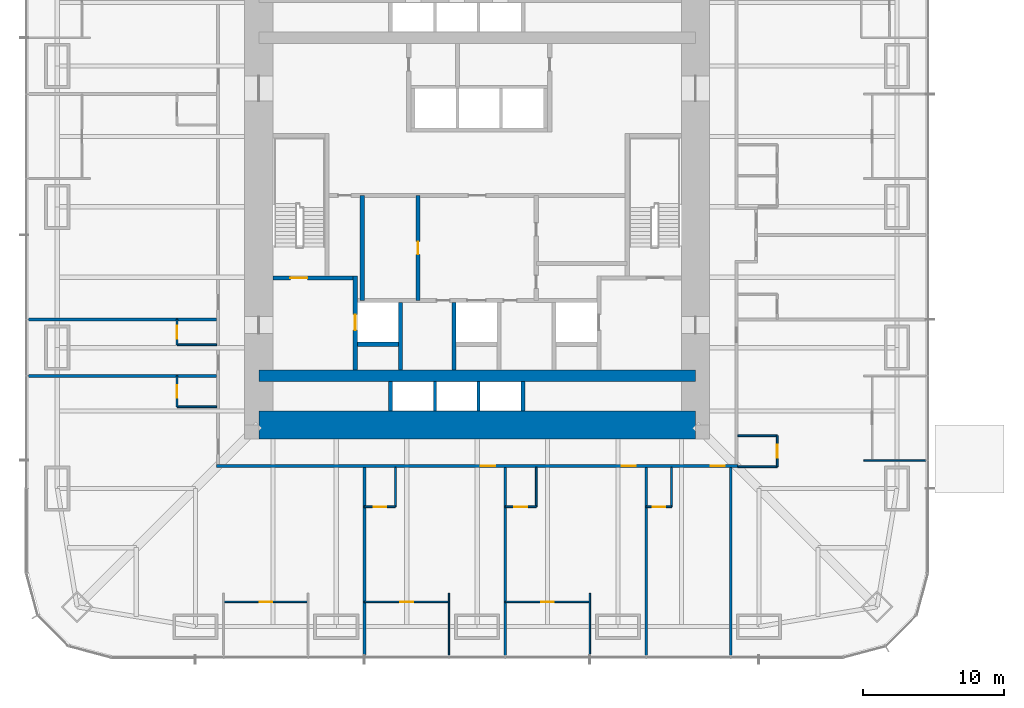
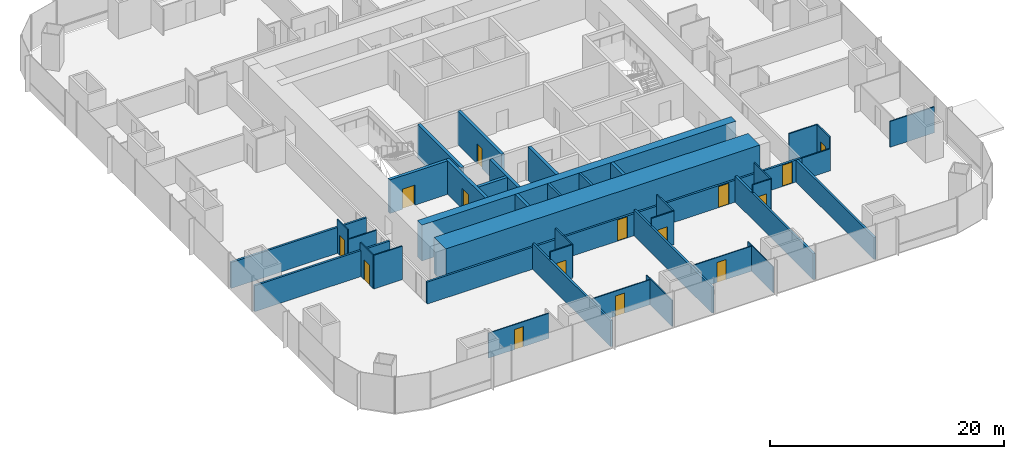
# One storey, part 15 of 20: 39 walls, 15 doors, 15 openings.
"""IFC4 building model written with IfcOpenShell, lengths in metres."""

from ifc_helpers import new_model, si_unit, direction, frame, frame_2d, origin, place, context, subcontext, project, spatial, rectangle, extrude, material, layer, layer_set, type_object, element, fill, save


model = new_model("IFC4")

# Units and contexts
model_context = context("Model", 3, precision=1e-05, world=origin(), true_north=direction((0.0, 1.0)))
body_context = subcontext(model_context, "Body", "Model", "MODEL_VIEW")
ifc_project = project(units=[si_unit("LENGTHUNIT", "METRE"), si_unit("AREAUNIT", "SQUARE_METRE"), si_unit("VOLUMEUNIT", "CUBIC_METRE"), si_unit("PLANEANGLEUNIT", "RADIAN"), si_unit("MASSUNIT", "GRAM", prefix="KILO")], contexts=[model_context])

# Site, building, storey
site_placement = place(None, origin())
site = spatial("IfcSite", under=ifc_project, at=site_placement, CompositionType="ELEMENT")
building_placement = place(site_placement, origin())
building = spatial("IfcBuilding", under=site, at=building_placement, Name="Khuree Lantern Residences", CompositionType="ELEMENT")
storey_placement = place(building_placement, frame((0.0, 0.0, 24.75)))
storey = spatial("IfcBuildingStorey", under=building, at=storey_placement, Name="L05", CompositionType="ELEMENT", Elevation=24.75)

# Wall, opening, door
ifc_material_1 = material(Name="Moisture-resistant gypsum board on steel studs", Category="steel")
ifc_layer_1 = layer(ifc_material_1, 0.125)
ifc_layer_set_1 = layer_set([ifc_layer_1], Name="BATHROOM WALL BTW125")
wall_type_1 = type_object("IfcWallType", Name="BATHROOM WALL BTW125", PredefinedType="PARTITIONING", material=ifc_layer_set_1)
wall_1_placement = place(storey_placement, frame((-21.300048828125, -8.0, 0.0), z_axis=(0.0, 0.0, 1.0), x_axis=(0.0, -1.0, 0.0)))
wall_1 = element("IfcWall", 1, at=wall_1_placement, inside=storey, type_object=wall_type_1, Name="L05 BATHROOM WALL 09", PredefinedType="PARTITIONING", context=body_context, shape_type="SweptSolid", body=[
    extrude(rectangle(XDim=1.800048828125, YDim=0.125, at=frame_2d((0.89990234375, 0.0))), origin(), (0.0, 0.0, 1.0), 3.5),
])
opening_1_placement = place(wall_1_placement, frame((0.449951171875, 0.0, 0.0)))
opening_1 = element("IfcOpeningElement", 2, at=opening_1_placement, cuts=wall_1, Name="Opening 05-048", PredefinedType="OPENING", context=body_context, shape_type="SweptSolid", body=[
    extrude(rectangle(XDim=0.89990234375, YDim=2.10009765625, at=frame_2d((0.449951171875, 1.050048828125))), frame((0.0, 0.072509765625, 0.0), z_axis=(0.0, -1.0, 0.0), x_axis=(1.0, 0.0, 0.0)), (0.0, 0.0, 1.0), 0.14501953125),
])
ifc_material_2 = material(Name="Timber door leaf in hardwood frame", Category="wood")
door_type_1 = type_object("IfcDoorType", Name="BATHROOM DOOR 900X2100", OperationType="SINGLE_SWING_LEFT", PredefinedType="DOOR", material=ifc_material_2)
door_1_placement = place(opening_1_placement, origin())
door_1 = element("IfcDoor", 3, at=door_1_placement, inside=storey, type_object=door_type_1, Name="Bathroom door 05-048", OperationType="SINGLE_SWING_LEFT", OverallHeight=2.10009765625, OverallWidth=0.89990234375, PredefinedType="DOOR", context=body_context, shape_type="SweptSolid", body=[
    extrude(rectangle(XDim=0.89990234375, YDim=2.10009765625, at=frame_2d((0.449951171875, 1.050048828125))), frame((0.0, 0.02490234375, 0.0), z_axis=(0.0, -1.0, 0.0), x_axis=(1.0, 0.0, 0.0)), (0.0, 0.0, 1.0), 0.050048828125),
])
fill(opening_1, door_1)

# Wall
wall_2_placement = place(storey_placement, frame((-18.5, -9.800048828125, 0.0), z_axis=(0.0, 0.0, 1.0), x_axis=(-1.0, 0.0, 0.0)))
element("IfcWall", 4, at=wall_2_placement, inside=storey, type_object=wall_type_1, Name="L05 BATHROOM WALL 09", PredefinedType="PARTITIONING", context=body_context, shape_type="SweptSolid", body=[
    extrude(rectangle(XDim=2.800048828125, YDim=0.125, at=frame_2d((1.39990234375, 0.0))), origin(), (0.0, 0.0, 1.0), 2.491943359375),
])

# Wall, opening, door
wall_3_placement = place(storey_placement, frame((-21.300048828125, -12.0, 0.0), z_axis=(0.0, 0.0, 1.0), x_axis=(0.0, -1.0, 0.0)))
wall_3 = element("IfcWall", 5, at=wall_3_placement, inside=storey, type_object=wall_type_1, Name="L05 BATHROOM WALL 10", PredefinedType="PARTITIONING", context=body_context, shape_type="SweptSolid", body=[
    extrude(rectangle(XDim=2.199951171875, YDim=0.125, at=frame_2d((1.10009765625, 0.0))), origin(), (0.0, 0.0, 1.0), 3.5),
])
opening_2_placement = place(wall_3_placement, frame((0.64990234375, 0.0, 0.0)))
opening_2 = element("IfcOpeningElement", 6, at=opening_2_placement, cuts=wall_3, Name="Opening 05-051", PredefinedType="OPENING", context=body_context, shape_type="SweptSolid", body=[
    extrude(rectangle(XDim=0.89990234375, YDim=2.10009765625, at=frame_2d((0.449951171875, 1.050048828125))), frame((0.0, 0.072509765625, 0.0), z_axis=(0.0, -1.0, 0.0), x_axis=(1.0, 0.0, 0.0)), (0.0, 0.0, 1.0), 0.14501953125),
])
door_2_placement = place(opening_2_placement, origin())
door_2 = element("IfcDoor", 7, at=door_2_placement, inside=storey, type_object=door_type_1, Name="Bathroom door 05-051", OperationType="SINGLE_SWING_LEFT", OverallHeight=2.10009765625, OverallWidth=0.89990234375, PredefinedType="DOOR", context=body_context, shape_type="SweptSolid", body=[
    extrude(rectangle(XDim=0.89990234375, YDim=2.10009765625, at=frame_2d((0.449951171875, 1.050048828125))), frame((0.0, 0.02490234375, 0.0), z_axis=(0.0, -1.0, 0.0), x_axis=(1.0, 0.0, 0.0)), (0.0, 0.0, 1.0), 0.050048828125),
])
fill(opening_2, door_2)

# Wall
wall_4_placement = place(storey_placement, frame((-18.5, -14.199951171875, 0.0), z_axis=(0.0, 0.0, 1.0), x_axis=(-1.0, 0.0, 0.0)))
element("IfcWall", 8, at=wall_4_placement, inside=storey, type_object=wall_type_1, Name="L05 BATHROOM WALL 10", PredefinedType="PARTITIONING", context=body_context, shape_type="SweptSolid", body=[
    extrude(rectangle(XDim=2.800048828125, YDim=0.125, at=frame_2d((1.39990234375, 0.0))), origin(), (0.0, 0.0, 1.0), 3.5),
])

# Wall, opening, door
wall_5_placement = place(storey_placement, frame((-8.0, -21.300048828125, 0.0), z_axis=(0.0, 0.0, 1.0), x_axis=(1.0, 0.0, 0.0)))
wall_5 = element("IfcWall", 9, at=wall_5_placement, inside=storey, type_object=wall_type_1, Name="L05 BATHROOM WALL 11", PredefinedType="PARTITIONING", context=body_context, shape_type="SweptSolid", body=[
    extrude(rectangle(XDim=2.199951171875, YDim=0.125, at=frame_2d((1.10009765625, 0.0))), origin(), (0.0, 0.0, 1.0), 3.5),
])
opening_3_placement = place(wall_5_placement, frame((0.64990234375, 0.0, 0.0)))
opening_3 = element("IfcOpeningElement", 10, at=opening_3_placement, cuts=wall_5, Name="Opening 05-054", PredefinedType="OPENING", context=body_context, shape_type="SweptSolid", body=[
    extrude(rectangle(XDim=0.89990234375, YDim=2.10009765625, at=frame_2d((0.449951171875, 1.050048828125))), frame((0.0, 0.072509765625, 0.0), z_axis=(0.0, -1.0, 0.0), x_axis=(1.0, 0.0, 0.0)), (0.0, 0.0, 1.0), 0.14501953125),
])
door_3_placement = place(opening_3_placement, origin())
door_3 = element("IfcDoor", 11, at=door_3_placement, inside=storey, type_object=door_type_1, Name="Bathroom door 05-054", OperationType="SINGLE_SWING_LEFT", OverallHeight=2.10009765625, OverallWidth=0.89990234375, PredefinedType="DOOR", context=body_context, shape_type="SweptSolid", body=[
    extrude(rectangle(XDim=0.89990234375, YDim=2.10009765625, at=frame_2d((0.449951171875, 1.050048828125))), frame((0.0, 0.02490234375, 0.0), z_axis=(0.0, -1.0, 0.0), x_axis=(1.0, 0.0, 0.0)), (0.0, 0.0, 1.0), 0.050048828125),
])
fill(opening_3, door_3)

# Wall
wall_6_placement = place(storey_placement, frame((-5.800048828125, -18.5, 0.0), z_axis=(0.0, 0.0, 1.0), x_axis=(0.0, -1.0, 0.0)))
element("IfcWall", 12, at=wall_6_placement, inside=storey, type_object=wall_type_1, Name="L05 BATHROOM WALL 11", PredefinedType="PARTITIONING", context=body_context, shape_type="SweptSolid", body=[
    extrude(rectangle(XDim=2.800048828125, YDim=0.125, at=frame_2d((1.39990234375, 0.0))), origin(), (0.0, 0.0, 1.0), 3.5),
])

# Wall, opening, door
wall_7_placement = place(storey_placement, frame((2.0, -21.300048828125, 0.0), z_axis=(0.0, 0.0, 1.0), x_axis=(1.0, 0.0, 0.0)))
wall_7 = element("IfcWall", 13, at=wall_7_placement, inside=storey, type_object=wall_type_1, Name="L05 BATHROOM WALL 12", PredefinedType="PARTITIONING", context=body_context, shape_type="SweptSolid", body=[
    extrude(rectangle(XDim=2.199951171875, YDim=0.125, at=frame_2d((1.10009765625, 0.0))), origin(), (0.0, 0.0, 1.0), 3.5),
])
opening_4_placement = place(wall_7_placement, frame((0.64990234375, 0.0, 0.0)))
opening_4 = element("IfcOpeningElement", 14, at=opening_4_placement, cuts=wall_7, Name="Opening 05-057", PredefinedType="OPENING", context=body_context, shape_type="SweptSolid", body=[
    extrude(rectangle(XDim=0.89990234375, YDim=2.10009765625, at=frame_2d((0.449951171875, 1.050048828125))), frame((0.0, 0.072509765625, 0.0), z_axis=(0.0, -1.0, 0.0), x_axis=(1.0, 0.0, 0.0)), (0.0, 0.0, 1.0), 0.14501953125),
])
door_4_placement = place(opening_4_placement, origin())
door_4 = element("IfcDoor", 15, at=door_4_placement, inside=storey, type_object=door_type_1, Name="Bathroom door 05-057", OperationType="SINGLE_SWING_LEFT", OverallHeight=2.10009765625, OverallWidth=0.89990234375, PredefinedType="DOOR", context=body_context, shape_type="SweptSolid", body=[
    extrude(rectangle(XDim=0.89990234375, YDim=2.10009765625, at=frame_2d((0.449951171875, 1.050048828125))), frame((0.0, 0.02490234375, 0.0), z_axis=(0.0, -1.0, 0.0), x_axis=(1.0, 0.0, 0.0)), (0.0, 0.0, 1.0), 0.050048828125),
])
fill(opening_4, door_4)

# Wall
wall_8_placement = place(storey_placement, frame((4.199951171875, -18.5, 0.0), z_axis=(0.0, 0.0, 1.0), x_axis=(0.0, -1.0, 0.0)))
element("IfcWall", 16, at=wall_8_placement, inside=storey, type_object=wall_type_1, Name="L05 BATHROOM WALL 12", PredefinedType="PARTITIONING", context=body_context, shape_type="SweptSolid", body=[
    extrude(rectangle(XDim=2.800048828125, YDim=0.125, at=frame_2d((1.39990234375, 0.0))), origin(), (0.0, 0.0, 1.0), 3.5),
])

# Wall, opening, door
wall_9_placement = place(storey_placement, frame((12.0, -21.300048828125, 0.0), z_axis=(0.0, 0.0, 1.0), x_axis=(1.0, 0.0, 0.0)))
wall_9 = element("IfcWall", 17, at=wall_9_placement, inside=storey, type_object=wall_type_1, Name="L05 BATHROOM WALL 13", PredefinedType="PARTITIONING", context=body_context, shape_type="SweptSolid", body=[
    extrude(rectangle(XDim=1.800048828125, YDim=0.125, at=frame_2d((0.89990234375, 0.0))), origin(), (0.0, 0.0, 1.0), 3.5),
])
opening_5_placement = place(wall_9_placement, frame((0.449951171875, 0.0, 0.0)))
opening_5 = element("IfcOpeningElement", 18, at=opening_5_placement, cuts=wall_9, Name="Opening 05-059", PredefinedType="OPENING", context=body_context, shape_type="SweptSolid", body=[
    extrude(rectangle(XDim=0.89990234375, YDim=2.10009765625, at=frame_2d((0.449951171875, 1.050048828125))), frame((0.0, 0.072509765625, 0.0), z_axis=(0.0, -1.0, 0.0), x_axis=(1.0, 0.0, 0.0)), (0.0, 0.0, 1.0), 0.14501953125),
])
door_5_placement = place(opening_5_placement, origin())
door_5 = element("IfcDoor", 19, at=door_5_placement, inside=storey, type_object=door_type_1, Name="Bathroom door 05-059", OperationType="SINGLE_SWING_LEFT", OverallHeight=2.10009765625, OverallWidth=0.89990234375, PredefinedType="DOOR", context=body_context, shape_type="SweptSolid", body=[
    extrude(rectangle(XDim=0.89990234375, YDim=2.10009765625, at=frame_2d((0.449951171875, 1.050048828125))), frame((0.0, 0.02490234375, 0.0), z_axis=(0.0, -1.0, 0.0), x_axis=(1.0, 0.0, 0.0)), (0.0, 0.0, 1.0), 0.050048828125),
])
fill(opening_5, door_5)

# Wall
wall_10_placement = place(storey_placement, frame((13.800048828125, -18.5, 0.0), z_axis=(0.0, 0.0, 1.0), x_axis=(0.0, -1.0, 0.0)))
element("IfcWall", 20, at=wall_10_placement, inside=storey, type_object=wall_type_1, Name="L05 BATHROOM WALL 13", PredefinedType="PARTITIONING", context=body_context, shape_type="SweptSolid", body=[
    extrude(rectangle(XDim=2.800048828125, YDim=0.125, at=frame_2d((1.39990234375, 0.0))), origin(), (0.0, 0.0, 1.0), 3.5),
])

# Wall, opening, door
wall_11_placement = place(storey_placement, frame((21.300048828125, -18.449951171875, 0.0), z_axis=(0.0, 0.0, 1.0), x_axis=(0.0, 1.0, 0.0)))
wall_11 = element("IfcWall", 21, at=wall_11_placement, inside=storey, type_object=wall_type_1, Name="L05 BATHROOM WALL 14", PredefinedType="PARTITIONING", context=body_context, shape_type="SweptSolid", body=[
    extrude(rectangle(XDim=2.199951171875, YDim=0.125, at=frame_2d((1.10009765625, 0.0))), origin(), (0.0, 0.0, 1.0), 3.5),
])
opening_6_placement = place(wall_11_placement, frame((0.64990234375, 0.0, 0.0)))
opening_6 = element("IfcOpeningElement", 22, at=opening_6_placement, cuts=wall_11, Name="Opening 05-062", PredefinedType="OPENING", context=body_context, shape_type="SweptSolid", body=[
    extrude(rectangle(XDim=0.89990234375, YDim=2.10009765625, at=frame_2d((0.449951171875, 1.050048828125))), frame((0.0, 0.072509765625, 0.0), z_axis=(0.0, -1.0, 0.0), x_axis=(1.0, 0.0, 0.0)), (0.0, 0.0, 1.0), 0.14501953125),
])
door_6_placement = place(opening_6_placement, origin())
door_6 = element("IfcDoor", 23, at=door_6_placement, inside=storey, type_object=door_type_1, Name="Bathroom door 05-062", OperationType="SINGLE_SWING_LEFT", OverallHeight=2.10009765625, OverallWidth=0.89990234375, PredefinedType="DOOR", context=body_context, shape_type="SweptSolid", body=[
    extrude(rectangle(XDim=0.89990234375, YDim=2.10009765625, at=frame_2d((0.449951171875, 1.050048828125))), frame((0.0, 0.02490234375, 0.0), z_axis=(0.0, -1.0, 0.0), x_axis=(1.0, 0.0, 0.0)), (0.0, 0.0, 1.0), 0.050048828125),
])
fill(opening_6, door_6)

# Walls
wall_12_placement = place(storey_placement, frame((18.5, -18.449951171875, 0.0), z_axis=(0.0, 0.0, 1.0), x_axis=(1.0, 0.0, 0.0)))
element("IfcWall", 24, at=wall_12_placement, inside=storey, type_object=wall_type_1, Name="L05 BATHROOM WALL 14", PredefinedType="PARTITIONING", context=body_context, shape_type="SweptSolid", body=[
    extrude(rectangle(XDim=2.800048828125, YDim=0.125, at=frame_2d((1.39990234375, 0.0))), origin(), (0.0, 0.0, 1.0), 2.300048828125),
])
wall_13_placement = place(storey_placement, frame((18.5, -16.25, 0.0), z_axis=(0.0, 0.0, 1.0), x_axis=(1.0, 0.0, 0.0)))
element("IfcWall", 25, at=wall_13_placement, inside=storey, type_object=wall_type_1, Name="L05 BATHROOM WALL 14", PredefinedType="PARTITIONING", context=body_context, shape_type="SweptSolid", body=[
    extrude(rectangle(XDim=2.800048828125, YDim=0.125, at=frame_2d((1.39990234375, 0.0))), origin(), (0.0, 0.0, 1.0), 3.5),
])

# Wall, opening, door
ifc_material_3 = material(Name="Dense concrete blockwork", Category="masonry")
ifc_layer_2 = layer(ifc_material_3, 0.300048828125)
ifc_layer_set_2 = layer_set([ifc_layer_2], Name="CORE PARTITION WALL CPW300 EI 120")
wall_type_2 = type_object("IfcWallType", Name="CORE PARTITION WALL CPW300 EI 120", PredefinedType="PARTITIONING", material=ifc_layer_set_2)
wall_14_placement = place(storey_placement, frame((-8.64990234375, -11.60009765625, 0.0), z_axis=(0.0, 0.0, 1.0), x_axis=(0.0, 1.0, 0.0)))
wall_14 = element("IfcWall", 26, at=wall_14_placement, inside=storey, type_object=wall_type_2, Name="L05 CORE WALL FL1W", PredefinedType="PARTITIONING", context=body_context, shape_type="SweptSolid", body=[
    extrude(rectangle(XDim=6.7001953125, YDim=0.300048828125, at=frame_2d((3.35009765625, 0.0))), origin(), (0.0, 0.0, 1.0), 3.5),
])
opening_7_placement = place(wall_14_placement, frame((2.85009765625, 0.0, 0.0)))
opening_7 = element("IfcOpeningElement", 27, at=opening_7_placement, cuts=wall_14, Name="Opening 05-007", PredefinedType="OPENING", context=body_context, shape_type="SweptSolid", body=[
    extrude(rectangle(XDim=1.10009765625, YDim=2.10009765625, at=frame_2d((0.550048828125, 1.050048828125))), frame((0.0, 0.16015625, 0.0), z_axis=(0.0, -1.0, 0.0), x_axis=(1.0, 0.0, 0.0)), (0.0, 0.0, 1.0), 0.320068359375),
])
ifc_material_4 = material(Name="Stainless steel lift landing door", Category="steel")
door_type_2 = type_object("IfcDoorType", Name="LIFT LANDING DOOR 1100X2100 E 120", OperationType="DOUBLE_DOOR_SLIDING", PredefinedType="DOOR", material=ifc_material_4)
door_7_placement = place(opening_7_placement, origin())
door_7 = element("IfcDoor", 28, at=door_7_placement, inside=storey, type_object=door_type_2, Name="Landing door FL1 05-007", OperationType="DOUBLE_DOOR_SLIDING", OverallHeight=2.10009765625, OverallWidth=1.10009765625, PredefinedType="DOOR", context=body_context, shape_type="SweptSolid", body=[
    extrude(rectangle(XDim=1.10009765625, YDim=2.10009765625, at=frame_2d((0.550048828125, 1.050048828125))), frame((0.0, 0.02490234375, 0.0), z_axis=(0.0, -1.0, 0.0), x_axis=(1.0, 0.0, 0.0)), (0.0, 0.0, 1.0), 0.050048828125),
])
fill(opening_7, door_7)

# Walls
for number, where, z_axis, x_axis, name in (
    (29, (-5.449951171875, -11.60009765625, 0.0), (0.0, 0.0, 1.0), (0.0, 1.0, 0.0), "L05 CORE WALL FL1E"),
    (30, (-1.64990234375, -11.60009765625, 0.0), (0.0, 0.0, 1.0), (0.0, 1.0, 0.0), "L05 CORE WALL SL1W"),
):
    element("IfcWall", number, at=place(storey_placement, frame(where, z_axis=z_axis, x_axis=x_axis)), inside=storey, type_object=wall_type_2, Name=name, PredefinedType="PARTITIONING", context=body_context, shape_type="SweptSolid", body=[
        extrude(rectangle(XDim=4.800048828125, YDim=0.300048828125, at=frame_2d((2.39990234375, 0.0))), origin(), (0.0, 0.0, 1.0), 3.5),
    ])
wall_15_placement = place(storey_placement, frame((-8.5, -9.75, 0.0), z_axis=(0.0, 0.0, 1.0), x_axis=(1.0, 0.0, 0.0)))
element("IfcWall", 31, at=wall_15_placement, inside=storey, type_object=wall_type_2, Name="L05 CORE WALL FL1S", PredefinedType="PARTITIONING", context=body_context, shape_type="SweptSolid", body=[
    extrude(rectangle(XDim=2.89990234375, YDim=0.300048828125, at=frame_2d((1.449951171875, 0.0))), origin(), (0.0, 0.0, 1.0), 3.5),
])
for number, where, z_axis, x_axis, name in (
    (32, (-6.14990234375, -14.5, 0.0), (0.0, 0.0, 1.0), (0.0, 1.0, 0.0), "L05 CORE WALL PMW"),
    (33, (3.25, -14.5, 0.0), (0.0, 0.0, 1.0), (0.0, 1.0, 0.0), "L05 CORE WALL PME"),
):
    element("IfcWall", number, at=place(storey_placement, frame(where, z_axis=z_axis, x_axis=x_axis)), inside=storey, type_object=wall_type_2, Name=name, PredefinedType="PARTITIONING", context=body_context, shape_type="SweptSolid", body=[
        extrude(rectangle(XDim=2.10009765625, YDim=0.300048828125, at=frame_2d((1.050048828125, 0.0))), origin(), (0.0, 0.0, 1.0), 3.5),
    ])

# Wall, opening, door
wall_16_placement = place(storey_placement, frame((-4.199951171875, -6.64990234375, 0.0), z_axis=(0.0, 0.0, 1.0), x_axis=(0.0, 1.0, 0.0)))
wall_16 = element("IfcWall", 34, at=wall_16_placement, inside=storey, type_object=wall_type_2, Name="L05 CORE WALL SVW", PredefinedType="PARTITIONING", context=body_context, shape_type="SweptSolid", body=[
    extrude(rectangle(XDim=7.449951171875, YDim=0.300048828125, at=frame_2d((3.72509765625, 0.0))), origin(), (0.0, 0.0, 1.0), 3.5),
])
opening_8_placement = place(wall_16_placement, frame((3.27490234375, 0.0, 0.0)))
opening_8 = element("IfcOpeningElement", 35, at=opening_8_placement, cuts=wall_16, Name="Opening 05-016", PredefinedType="OPENING", context=body_context, shape_type="SweptSolid", body=[
    extrude(rectangle(XDim=0.89990234375, YDim=2.10009765625, at=frame_2d((0.449951171875, 1.050048828125))), frame((0.0, 0.16015625, 0.0), z_axis=(0.0, -1.0, 0.0), x_axis=(1.0, 0.0, 0.0)), (0.0, 0.0, 1.0), 0.320068359375),
])
door_type_3 = type_object("IfcDoorType", Name="DOOR 900X2100", OperationType="SINGLE_SWING_LEFT", PredefinedType="DOOR", material=ifc_material_2)
door_8_placement = place(opening_8_placement, origin())
door_8 = element("IfcDoor", 36, at=door_8_placement, inside=storey, type_object=door_type_3, Name="Residents' store door 05-016", OperationType="SINGLE_SWING_LEFT", OverallHeight=2.10009765625, OverallWidth=0.89990234375, PredefinedType="DOOR", context=body_context, shape_type="SweptSolid", body=[
    extrude(rectangle(XDim=0.89990234375, YDim=2.10009765625, at=frame_2d((0.449951171875, 1.050048828125))), frame((0.0, 0.02490234375, 0.0), z_axis=(0.0, -1.0, 0.0), x_axis=(1.0, 0.0, 0.0)), (0.0, 0.0, 1.0), 0.050048828125),
])
fill(opening_8, door_8)

# Wall
wall_17_placement = place(storey_placement, frame((-8.1630859375, -6.64990234375, 0.0), z_axis=(0.0, 0.0, 1.0), x_axis=(0.0, 1.0, 0.0)))
element("IfcWall", 37, at=wall_17_placement, inside=storey, type_object=wall_type_2, Name="L05 CORE WALL WV", PredefinedType="PARTITIONING", context=body_context, shape_type="SweptSolid", body=[
    extrude(rectangle(XDim=7.449951171875, YDim=0.300048828125, at=frame_2d((3.72509765625, 0.0))), origin(), (0.0, 0.0, 1.0), 3.5),
])

# Wall, openings, doors
ifc_material_5 = material(Name="Gypsum board on steel studs", Category="steel")
ifc_layer_3 = layer(ifc_material_5, 0.199951171875)
ifc_layer_set_3 = layer_set([ifc_layer_3], Name="CORRIDOR WALL CRW200 EI 60")
wall_type_3 = type_object("IfcWallType", Name="CORRIDOR WALL CRW200 EI 60", PredefinedType="PARTITIONING", material=ifc_layer_set_3)
wall_18_placement = place(storey_placement, frame((18.5, -18.39990234375, 0.0), z_axis=(0.0, 0.0, 1.0), x_axis=(-1.0, 0.0, 0.0)))
wall_18 = element("IfcWall", 38, at=wall_18_placement, inside=storey, type_object=wall_type_3, Name="L05 CORRIDOR WALL SOUTH 1", PredefinedType="PARTITIONING", context=body_context, shape_type="SweptSolid", body=[
    extrude(rectangle(XDim=37.0, YDim=0.199951171875, at=frame_2d((18.5, 0.0))), origin(), (0.0, 0.0, 1.0), 2.300048828125),
])
opening_9_placement = place(wall_18_placement, frame((17.22998046875, 0.0, 0.0)))
opening_9 = element("IfcOpeningElement", 39, at=opening_9_placement, cuts=wall_18, Name="Opening 05-055", PredefinedType="OPENING", context=body_context, shape_type="SweptSolid", body=[
    extrude(rectangle(XDim=1.0, YDim=2.199951171875, at=frame_2d((0.5, 1.10009765625))), frame((0.0, 0.10986328125, 0.0), z_axis=(0.0, -1.0, 0.0), x_axis=(1.0, 0.0, 0.0)), (0.0, 0.0, 1.0), 0.219970703125),
])
opening_10_placement = place(wall_18_placement, frame((7.22998046875, 0.0, 0.0)))
opening_10 = element("IfcOpeningElement", 40, at=opening_10_placement, cuts=wall_18, Name="Opening 05-058", PredefinedType="OPENING", context=body_context, shape_type="SweptSolid", body=[
    extrude(rectangle(XDim=1.0, YDim=2.199951171875, at=frame_2d((0.5, 1.10009765625))), frame((0.0, 0.10986328125, 0.0), z_axis=(0.0, -1.0, 0.0), x_axis=(1.0, 0.0, 0.0)), (0.0, 0.0, 1.0), 0.219970703125),
])
opening_11_placement = place(wall_18_placement, frame((0.929931640625, 0.0, 0.0)))
opening_11 = element("IfcOpeningElement", 41, at=opening_11_placement, cuts=wall_18, Name="Opening 05-060", PredefinedType="OPENING", context=body_context, shape_type="SweptSolid", body=[
    extrude(rectangle(XDim=1.0, YDim=2.199951171875, at=frame_2d((0.5, 1.10009765625))), frame((0.0, 0.10986328125, 0.0), z_axis=(0.0, -1.0, 0.0), x_axis=(1.0, 0.0, 0.0)), (0.0, 0.0, 1.0), 0.219970703125),
])
door_type_4 = type_object("IfcDoorType", Name="APARTMENT ENTRANCE DOOR 1000X2200 EI 30S", OperationType="SINGLE_SWING_LEFT", PredefinedType="DOOR", material=ifc_material_2)
door_9_placement = place(opening_9_placement, origin())
door_9 = element("IfcDoor", 42, at=door_9_placement, inside=storey, type_object=door_type_4, Name="Apartment 11 entrance door 05-055", OperationType="SINGLE_SWING_LEFT", OverallHeight=2.199951171875, OverallWidth=1.0, PredefinedType="DOOR", context=body_context, shape_type="SweptSolid", body=[
    extrude(rectangle(XDim=1.0, YDim=2.199951171875, at=frame_2d((0.5, 1.10009765625))), frame((0.0, 0.02490234375, 0.0), z_axis=(0.0, -1.0, 0.0), x_axis=(1.0, 0.0, 0.0)), (0.0, 0.0, 1.0), 0.050048828125),
])
fill(opening_9, door_9)
door_10_placement = place(opening_10_placement, origin())
door_10 = element("IfcDoor", 43, at=door_10_placement, inside=storey, type_object=door_type_4, Name="Apartment 12 entrance door 05-058", OperationType="SINGLE_SWING_LEFT", OverallHeight=2.199951171875, OverallWidth=1.0, PredefinedType="DOOR", context=body_context, shape_type="SweptSolid", body=[
    extrude(rectangle(XDim=1.0, YDim=2.199951171875, at=frame_2d((0.5, 1.10009765625))), frame((0.0, 0.02490234375, 0.0), z_axis=(0.0, -1.0, 0.0), x_axis=(1.0, 0.0, 0.0)), (0.0, 0.0, 1.0), 0.050048828125),
])
fill(opening_10, door_10)
door_11_placement = place(opening_11_placement, origin())
door_11 = element("IfcDoor", 44, at=door_11_placement, inside=storey, type_object=door_type_4, Name="Apartment 13 entrance door 05-060", OperationType="SINGLE_SWING_LEFT", OverallHeight=2.199951171875, OverallWidth=1.0, PredefinedType="DOOR", context=body_context, shape_type="SweptSolid", body=[
    extrude(rectangle(XDim=1.0, YDim=2.199951171875, at=frame_2d((0.5, 1.10009765625))), frame((0.0, 0.02490234375, 0.0), z_axis=(0.0, -1.0, 0.0), x_axis=(1.0, 0.0, 0.0)), (0.0, 0.0, 1.0), 0.050048828125),
])
fill(opening_11, door_11)

# Walls
ifc_material_6 = material(Name="Concrete C70/85", Category="concrete")
ifc_layer_4 = layer(ifc_material_6, 2.0)
ifc_layer_set_4 = layer_set([ifc_layer_4], Name="CW2000-C70 CORE WALL C70 2000")
wall_type_4 = type_object("IfcWallType", Name="CW2000-C70 CORE WALL C70 2000", PredefinedType="SHEAR", material=ifc_layer_set_4)
wall_19_placement = place(storey_placement, frame((-15.5, -15.5, -0.25), z_axis=(0.0, 0.0, 1.0), x_axis=(1.0, 0.0, 0.0)))
element("IfcWall", 45, at=wall_19_placement, inside=storey, type_object=wall_type_4, Name="Core wall S", PredefinedType="SHEAR", context=body_context, shape_type="SweptSolid", body=[
    extrude(rectangle(XDim=31.0, YDim=2.0, at=frame_2d((15.5, 0.0))), origin(), (0.0, 0.0, 1.0), 3.75),
])
ifc_layer_5 = layer(ifc_material_5, 0.199951171875)
ifc_layer_set_5 = layer_set([ifc_layer_5], Name="DEMISING WALL DMW200 EI 90")
wall_type_5 = type_object("IfcWallType", Name="DEMISING WALL DMW200 EI 90", PredefinedType="PARTITIONING", material=ifc_layer_set_5)
for number, where, z_axis, x_axis, name in (
    (46, (-18.5, -8.0, 0.0), (0.0, 0.0, 1.0), (-1.0, 0.0, 0.0), "L05 DEMISING WALL 09"),
    (47, (-18.5, -12.0, 0.0), (0.0, 0.0, 1.0), (-1.0, 0.0, 0.0), "L05 DEMISING WALL 10"),
    (48, (-8.0, -18.5, 0.0), (0.0, 0.0, 1.0), (0.0, -1.0, 0.0), "L05 DEMISING WALL 11"),
    (49, (2.0, -18.5, 0.0), (0.0, 0.0, 1.0), (0.0, -1.0, 0.0), "L05 DEMISING WALL 12"),
    (50, (12.0, -18.5, 0.0), (0.0, 0.0, 1.0), (0.0, -1.0, 0.0), "L05 DEMISING WALL 13"),
):
    element("IfcWall", number, at=place(storey_placement, frame(where, z_axis=z_axis, x_axis=x_axis)), inside=storey, type_object=wall_type_5, Name=name, PredefinedType="PARTITIONING", context=body_context, shape_type="SweptSolid", body=[
        extrude(rectangle(XDim=13.35009765625, YDim=0.199951171875, at=frame_2d((6.675048828125, 0.0))), origin(), (0.0, 0.0, 1.0), 2.7099609375),
    ])
wall_20_placement = place(storey_placement, frame((18.0, -18.5, 0.0), z_axis=(0.0, 0.0, 1.0), x_axis=(0.0, -1.0, 0.0)))
element("IfcWall", 51, at=wall_20_placement, inside=storey, type_object=wall_type_5, Name="L05 DEMISING WALL 14", PredefinedType="PARTITIONING", context=body_context, shape_type="SweptSolid", body=[
    extrude(rectangle(XDim=13.35009765625, YDim=0.199951171875, at=frame_2d((6.675048828125, 0.0))), origin(), (0.0, 0.0, 1.0), 2.300048828125),
])
ifc_layer_6 = layer(ifc_material_5, 0.10009765625)
ifc_layer_set_6 = layer_set([ifc_layer_6], Name="PARTITION PT100")
wall_type_6 = type_object("IfcWallType", Name="PARTITION PT100", PredefinedType="PARTITIONING", material=ifc_layer_set_6)
for number, where, z_axis, x_axis, name in (
    (52, (-2.0, -27.449951171875, 0.0), (0.0, 0.0, 1.0), (0.0, -1.0, 0.0), "L05 PARTITION 11"),
    (53, (8.0, -27.449951171875, 0.0), (0.0, 0.0, 1.0), (0.0, -1.0, 0.0), "L05 PARTITION 12"),
    (54, (27.449951171875, -18.0, 0.0), (0.0, 0.0, 1.0), (1.0, 0.0, 0.0), "L05 PARTITION 14"),
):
    element("IfcWall", number, at=place(storey_placement, frame(where, z_axis=z_axis, x_axis=x_axis)), inside=storey, type_object=wall_type_6, Name=name, PredefinedType="PARTITIONING", context=body_context, shape_type="SweptSolid", body=[
        extrude(rectangle(XDim=4.400146484375, YDim=0.10009765625, at=frame_2d((2.2001953125, 0.0))), origin(), (0.0, 0.0, 1.0), 2.7099609375),
    ])

# Wall, opening, door
wall_21_placement = place(storey_placement, frame((-18.0, -28.050048828125, 0.0), z_axis=(0.0, 0.0, 1.0), x_axis=(1.0, 0.0, 0.0)))
wall_21 = element("IfcWall", 55, at=wall_21_placement, inside=storey, type_object=wall_type_6, Name="L05 PARTITION 10", PredefinedType="PARTITIONING", context=body_context, shape_type="SweptSolid", body=[
    extrude(rectangle(XDim=6.0, YDim=0.10009765625, at=frame_2d((3.0, 0.0))), origin(), (0.0, 0.0, 1.0), 2.610107421875),
])
opening_12_placement = place(wall_21_placement, frame((2.550048828125, 0.0, 0.0)))
opening_12 = element("IfcOpeningElement", 56, at=opening_12_placement, cuts=wall_21, Name="Opening 05-050", PredefinedType="OPENING", context=body_context, shape_type="SweptSolid", body=[
    extrude(rectangle(XDim=0.89990234375, YDim=2.10009765625, at=frame_2d((0.449951171875, 1.050048828125))), frame((0.0, 0.06005859375, 0.0), z_axis=(0.0, -1.0, 0.0), x_axis=(1.0, 0.0, 0.0)), (0.0, 0.0, 1.0), 0.1201171875),
])
door_type_5 = type_object("IfcDoorType", Name="BEDROOM DOOR 900X2100", OperationType="SINGLE_SWING_LEFT", PredefinedType="DOOR", material=ifc_material_2)
door_12_placement = place(opening_12_placement, origin())
door_12 = element("IfcDoor", 57, at=door_12_placement, inside=storey, type_object=door_type_5, Name="Bedroom door 05-050", OperationType="SINGLE_SWING_LEFT", OverallHeight=2.10009765625, OverallWidth=0.89990234375, PredefinedType="DOOR", context=body_context, shape_type="SweptSolid", body=[
    extrude(rectangle(XDim=0.89990234375, YDim=2.10009765625, at=frame_2d((0.449951171875, 1.050048828125))), frame((0.0, 0.02490234375, 0.0), z_axis=(0.0, -1.0, 0.0), x_axis=(1.0, 0.0, 0.0)), (0.0, 0.0, 1.0), 0.050048828125),
])
fill(opening_12, door_12)

wall_22_placement = place(storey_placement, frame((-8.0, -28.050048828125, 0.0), z_axis=(0.0, 0.0, 1.0), x_axis=(1.0, 0.0, 0.0)))
wall_22 = element("IfcWall", 58, at=wall_22_placement, inside=storey, type_object=wall_type_6, Name="L05 PARTITION 11", PredefinedType="PARTITIONING", context=body_context, shape_type="SweptSolid", body=[
    extrude(rectangle(XDim=6.0, YDim=0.10009765625, at=frame_2d((3.0, 0.0))), origin(), (0.0, 0.0, 1.0), 2.610107421875),
])
opening_13_placement = place(wall_22_placement, frame((2.550048828125, 0.0, 0.0)))
opening_13 = element("IfcOpeningElement", 59, at=opening_13_placement, cuts=wall_22, Name="Opening 05-053", PredefinedType="OPENING", context=body_context, shape_type="SweptSolid", body=[
    extrude(rectangle(XDim=0.89990234375, YDim=2.10009765625, at=frame_2d((0.449951171875, 1.050048828125))), frame((0.0, 0.06005859375, 0.0), z_axis=(0.0, -1.0, 0.0), x_axis=(1.0, 0.0, 0.0)), (0.0, 0.0, 1.0), 0.1201171875),
])
door_13_placement = place(opening_13_placement, origin())
door_13 = element("IfcDoor", 60, at=door_13_placement, inside=storey, type_object=door_type_5, Name="Bedroom door 05-053", OperationType="SINGLE_SWING_LEFT", OverallHeight=2.10009765625, OverallWidth=0.89990234375, PredefinedType="DOOR", context=body_context, shape_type="SweptSolid", body=[
    extrude(rectangle(XDim=0.89990234375, YDim=2.10009765625, at=frame_2d((0.449951171875, 1.050048828125))), frame((0.0, 0.02490234375, 0.0), z_axis=(0.0, -1.0, 0.0), x_axis=(1.0, 0.0, 0.0)), (0.0, 0.0, 1.0), 0.050048828125),
])
fill(opening_13, door_13)

wall_23_placement = place(storey_placement, frame((2.0, -28.050048828125, 0.0), z_axis=(0.0, 0.0, 1.0), x_axis=(1.0, 0.0, 0.0)))
wall_23 = element("IfcWall", 61, at=wall_23_placement, inside=storey, type_object=wall_type_6, Name="L05 PARTITION 12", PredefinedType="PARTITIONING", context=body_context, shape_type="SweptSolid", body=[
    extrude(rectangle(XDim=6.0, YDim=0.10009765625, at=frame_2d((3.0, 0.0))), origin(), (0.0, 0.0, 1.0), 2.610107421875),
])
opening_14_placement = place(wall_23_placement, frame((2.550048828125, 0.0, 0.0)))
opening_14 = element("IfcOpeningElement", 62, at=opening_14_placement, cuts=wall_23, Name="Opening 05-056", PredefinedType="OPENING", context=body_context, shape_type="SweptSolid", body=[
    extrude(rectangle(XDim=0.89990234375, YDim=2.10009765625, at=frame_2d((0.449951171875, 1.050048828125))), frame((0.0, 0.06005859375, 0.0), z_axis=(0.0, -1.0, 0.0), x_axis=(1.0, 0.0, 0.0)), (0.0, 0.0, 1.0), 0.1201171875),
])
door_14_placement = place(opening_14_placement, origin())
door_14 = element("IfcDoor", 63, at=door_14_placement, inside=storey, type_object=door_type_5, Name="Bedroom door 05-056", OperationType="SINGLE_SWING_LEFT", OverallHeight=2.10009765625, OverallWidth=0.89990234375, PredefinedType="DOOR", context=body_context, shape_type="SweptSolid", body=[
    extrude(rectangle(XDim=0.89990234375, YDim=2.10009765625, at=frame_2d((0.449951171875, 1.050048828125))), frame((0.0, 0.02490234375, 0.0), z_axis=(0.0, -1.0, 0.0), x_axis=(1.0, 0.0, 0.0)), (0.0, 0.0, 1.0), 0.050048828125),
])
fill(opening_14, door_14)

# Walls
ifc_layer_7 = layer(ifc_material_3, 0.199951171875)
ifc_layer_set_7 = layer_set([ifc_layer_7], Name="SHAFT WALL SHW200 EI 120")
wall_type_7 = type_object("IfcWallType", Name="SHAFT WALL SHW200 EI 120", PredefinedType="PARTITIONING", material=ifc_layer_set_7)
for number, where, z_axis, x_axis, name in (
    (64, (-3.0, -14.5, 0.0), (0.0, 0.0, 1.0), (0.0, 1.0, 0.0), "L05 CORE WALL PMD1"),
    (65, (0.10009765625, -14.5, 0.0), (0.0, 0.0, 1.0), (0.0, 1.0, 0.0), "L05 CORE WALL PMD2"),
):
    element("IfcWall", number, at=place(storey_placement, frame(where, z_axis=z_axis, x_axis=x_axis)), inside=storey, type_object=wall_type_7, Name=name, PredefinedType="PARTITIONING", context=body_context, shape_type="SweptSolid", body=[
        extrude(rectangle(XDim=2.10009765625, YDim=0.199951171875, at=frame_2d((1.050048828125, 0.0))), origin(), (0.0, 0.0, 1.0), 3.5),
    ])
ifc_layer_8 = layer(ifc_material_6, 0.800048828125)
ifc_layer_set_8 = layer_set([ifc_layer_8], Name="SP800-C70 CORE SPINE WALL C70 800")
wall_type_8 = type_object("IfcWallType", Name="SP800-C70 CORE SPINE WALL C70 800", PredefinedType="SHEAR", material=ifc_layer_set_8)
wall_24_placement = place(storey_placement, frame((-15.5, -12.0, -0.25), z_axis=(0.0, 0.0, 1.0), x_axis=(1.0, 0.0, 0.0)))
element("IfcWall", 66, at=wall_24_placement, inside=storey, type_object=wall_type_8, Name="Core wall SPS", PredefinedType="SHEAR", context=body_context, shape_type="SweptSolid", body=[
    extrude(rectangle(XDim=31.0, YDim=0.800048828125, at=frame_2d((15.5, 0.0))), origin(), (0.0, 0.0, 1.0), 3.75),
])

# Wall, opening, door
ifc_material_7 = material(Name="Concrete C50/60", Category="concrete")
ifc_layer_9 = layer(ifc_material_7, 0.300048828125)
ifc_layer_set_9 = layer_set([ifc_layer_9], Name="STAIR WALL SRW300 C50/60 REI 240")
wall_type_9 = type_object("IfcWallType", Name="STAIR WALL SRW300 C50/60 REI 240", PredefinedType="SOLIDWALL", material=ifc_layer_set_9)
wall_25_placement = place(storey_placement, frame((-14.5, -5.050048828125, 0.0), z_axis=(0.0, 0.0, 1.0), x_axis=(1.0, 0.0, 0.0)))
wall_25 = element("IfcWall", 67, at=wall_25_placement, inside=storey, type_object=wall_type_9, Name="L05 STAIR WALL ST1S", PredefinedType="SOLIDWALL", context=body_context, shape_type="SweptSolid", body=[
    extrude(rectangle(XDim=5.699951171875, YDim=0.300048828125, at=frame_2d((2.85009765625, 0.0))), origin(), (0.0, 0.0, 1.0), 3.5),
])
opening_15_placement = place(wall_25_placement, frame((1.25, 0.0, 0.0)))
opening_15 = element("IfcOpeningElement", 68, at=opening_15_placement, cuts=wall_25, Name="Opening 05-001", PredefinedType="OPENING", context=body_context, shape_type="SweptSolid", body=[
    extrude(rectangle(XDim=1.199951171875, YDim=2.10009765625, at=frame_2d((0.60009765625, 1.050048828125))), frame((0.0, 0.16015625, 0.0), z_axis=(0.0, -1.0, 0.0), x_axis=(1.0, 0.0, 0.0)), (0.0, 0.0, 1.0), 0.320068359375),
])
ifc_material_8 = material(Name="Steel door leaf in steel frame", Category="steel")
door_type_6 = type_object("IfcDoorType", Name="STAIR DOOR 1200X2100 EI 120", OperationType="SINGLE_SWING_LEFT", PredefinedType="DOOR", material=ifc_material_8)
door_15_placement = place(opening_15_placement, origin())
door_15 = element("IfcDoor", 69, at=door_15_placement, inside=storey, type_object=door_type_6, Name="Stair ST1 door 05-001", OperationType="SINGLE_SWING_LEFT", OverallHeight=2.10009765625, OverallWidth=1.199951171875, PredefinedType="DOOR", context=body_context, shape_type="SweptSolid", body=[
    extrude(rectangle(XDim=1.199951171875, YDim=2.10009765625, at=frame_2d((0.60009765625, 1.050048828125))), frame((0.0, 0.02490234375, 0.0), z_axis=(0.0, -1.0, 0.0), x_axis=(1.0, 0.0, 0.0)), (0.0, 0.0, 1.0), 0.050048828125),
])
fill(opening_15, door_15)

save(model, "model.ifc")
